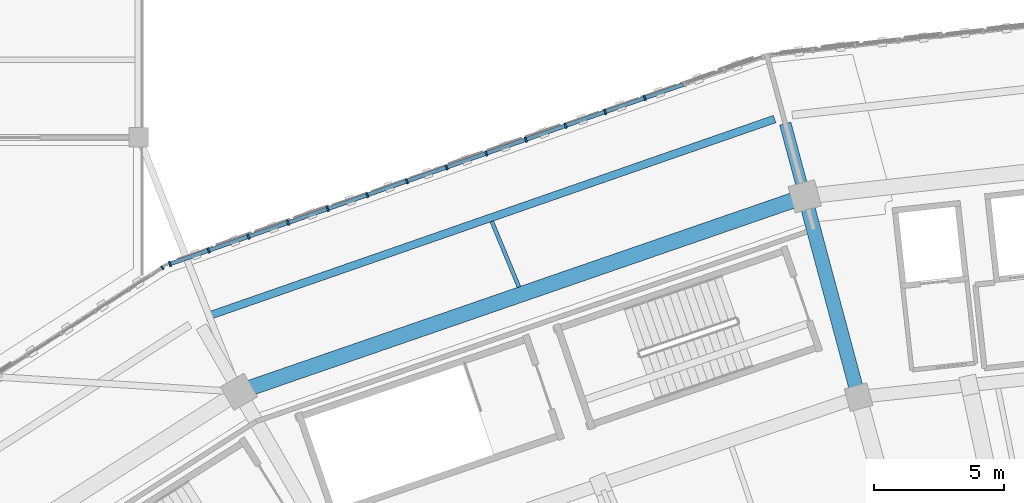
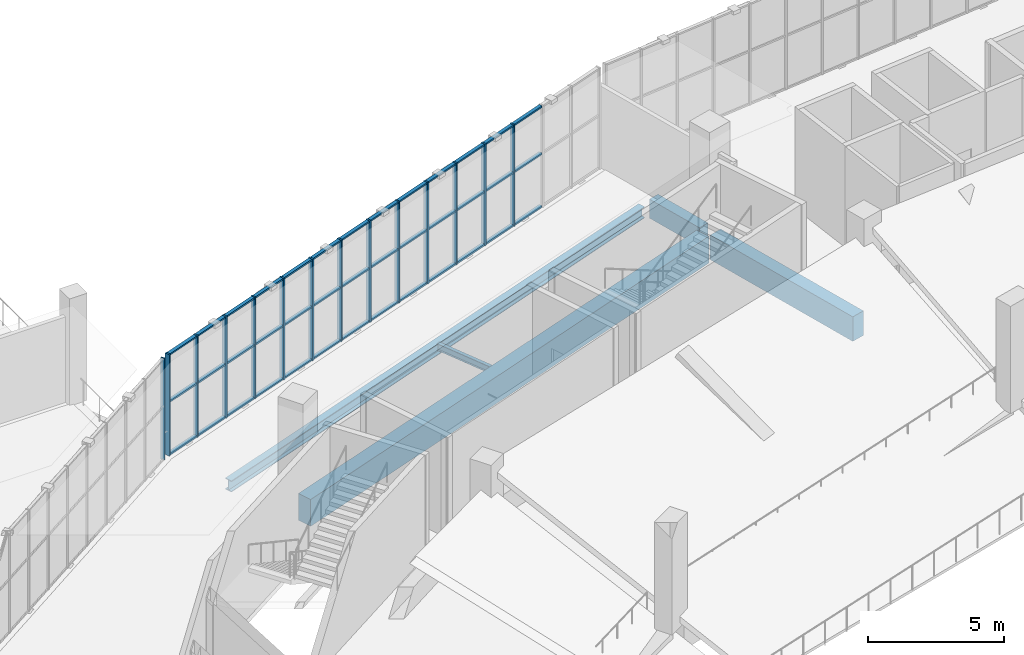
# One storey, part 56 of 152: 53 members, 5 beams, 2 elements without a shape of their own.
"""IFC4 building model written with IfcOpenShell, lengths in metres."""

from ifc_helpers import new_model, si_unit, direction, frame, origin, origin_2d, place, context, subcontext, project, spatial, rectangle, i_section, extrude, material, material_profile, profile_set, type_object, element, aggregate, save


model = new_model("IFC4")

# Units and contexts
model_context = context("Model", 3, precision=1e-05, world=origin(), true_north=direction((0.0, 1.0)))
body_context = subcontext(model_context, "Body", "Model", "MODEL_VIEW")
ifc_project = project(units=[si_unit("LENGTHUNIT", "METRE"), si_unit("AREAUNIT", "SQUARE_METRE"), si_unit("VOLUMEUNIT", "CUBIC_METRE"), si_unit("PLANEANGLEUNIT", "RADIAN"), si_unit("MASSUNIT", "GRAM", prefix="KILO")], contexts=[model_context])

# Site, building, storey
site_placement = place(None, origin())
site = spatial("IfcSite", under=ifc_project, at=site_placement, CompositionType="ELEMENT")
building_placement = place(site_placement, origin())
building = spatial("IfcBuilding", under=site, at=building_placement, Name="Zevraka Park Crest Stadium", CompositionType="ELEMENT")
storey_placement = place(building_placement, frame((0.0, 0.0, 15.0)))
storey = spatial("IfcBuildingStorey", under=building, at=storey_placement, Name="L03", CompositionType="ELEMENT", Elevation=15.0)

# Beams
ifc_material_1 = material(Name="Concrete C40/50", Category="concrete")
ifc_material_profile_1 = material_profile(ifc_material_1, rectangle(XDim=0.550048828125, YDim=1.10009765625, at=origin_2d()), Name="RC 1100x550")
ifc_profile_set_1 = profile_set([ifc_material_profile_1], Name="Concrete C40/50")
beam_type_1 = type_object("IfcBeamType", Name="BG02", PredefinedType="BEAM", material=ifc_profile_set_1)
beam_1_placement = place(storey_placement, frame((90.62109375, 157.297119140625, -0.56005859375), z_axis=(-0.258697599806, 0.965958359276, 0.0), x_axis=(-0.965958359276, -0.258697599806, 0.0)))
element("IfcBeam", 1, at=beam_1_placement, inside=storey, type_object=beam_type_1, Name="Radial Girder BG02 L03-CD-07", PredefinedType="BEAM", context=body_context, shape_type="SweptSolid", body=[
    extrude(rectangle(XDim=0.550048828125, YDim=1.10009765625, at=origin_2d()), origin(), (0.0, 0.0, 1.0), 7.39892578125),
])
ifc_material_2 = material(Name="Concrete C40/50", Category="concrete")
ifc_material_profile_2 = material_profile(ifc_material_2, rectangle(XDim=0.449951171875, YDim=0.85009765625, at=origin_2d()), Name="RC 850x450")
ifc_profile_set_2 = profile_set([ifc_material_profile_2], Name="Concrete C40/50")
beam_type_2 = type_object("IfcBeamType", Name="BG03", PredefinedType="BEAM", material=ifc_profile_set_2)
beam_2_placement = place(storey_placement, frame((88.551025390625, 165.02392578125, -0.43505859375), z_axis=(-0.258919157159, 0.965898995784, 0.0), x_axis=(-0.965898995784, -0.258919157159, 0.0)))
element("IfcBeam", 2, at=beam_2_placement, inside=storey, type_object=beam_type_2, Name="Radial Girder BG03 L03-DE-07", PredefinedType="BEAM", context=body_context, shape_type="SweptSolid", body=[
    extrude(rectangle(XDim=0.449951171875, YDim=0.85009765625, at=origin_2d()), origin(), (0.0, 0.0, 1.0), 2.599609375),
])

# Curtain wall, member
ifc_material_3 = material(Name="Anodised architectural aluminium and laminated safety glass", Category="aluminium")
curtain_wall_type_1 = type_object("IfcCurtainWallType", Name="CW13", PredefinedType="NOTDEFINED", material=ifc_material_3)
curtain_wall_1_placement = place(storey_placement, origin())
curtain_wall_1 = element("IfcCurtainWall", 3, at=curtain_wall_1_placement, inside=storey, type_object=curtain_wall_type_1, Name="Unitised Ring Curtain Wall CW13 L03-08", PredefinedType="NOTDEFINED")
ifc_material_4 = material(Name="Anodised architectural aluminium", Category="aluminium")
ifc_material_profile_3 = material_profile(ifc_material_4, rectangle(XDim=0.159912109375, YDim=0.06005859375, at=origin_2d()), Name="ALU MULLION 160x60")
ifc_profile_set_3 = profile_set([ifc_material_profile_3], Name="Anodised architectural aluminium")
member_type_1 = type_object("IfcMemberType", Name="CM01", PredefinedType="MULLION", material=ifc_profile_set_3)
member_1_placement = place(storey_placement, frame((63.90087890625, 161.98876953125, 0.0), z_axis=(0.0, 0.0, 1.0), x_axis=(0.543469160232, -0.839429134517, 0.0)))
member_1 = element("IfcMember", 4, at=member_1_placement, type_object=member_type_1, Name="CW13 mullion 1", PredefinedType="MULLION", context=body_context, shape_type="SweptSolid", body=[
    extrude(rectangle(XDim=0.159912109375, YDim=0.06005859375, at=origin_2d()), origin(), (0.0, 0.0, 1.0), 4.5400390625),
])
aggregate(curtain_wall_1, [member_1])

# Curtain wall, members
ifc_material_5 = material(Name="Anodised architectural aluminium and laminated safety glass", Category="aluminium")
curtain_wall_type_2 = type_object("IfcCurtainWallType", Name="CW12", PredefinedType="NOTDEFINED", material=ifc_material_5)
curtain_wall_2_placement = place(storey_placement, origin())
curtain_wall_2 = element("IfcCurtainWall", 5, at=curtain_wall_2_placement, inside=storey, type_object=curtain_wall_type_2, Name="Unitised Ring Curtain Wall CW12 L03-07", PredefinedType="NOTDEFINED")
ifc_material_6 = material(Name="Anodised architectural aluminium", Category="aluminium")
ifc_material_profile_4 = material_profile(ifc_material_6, rectangle(XDim=0.199951171875, YDim=0.070068359375, at=origin_2d()), Name="ALU MULLION 200x70")
ifc_profile_set_4 = profile_set([ifc_material_profile_4], Name="Anodised architectural aluminium")
member_type_2 = type_object("IfcMemberType", Name="CM03", PredefinedType="MULLION", material=ifc_profile_set_4)
member_2_placement = place(storey_placement, frame((82.469482421875, 168.518310546875, 0.0), z_axis=(0.0, 0.0, 1.0), x_axis=(0.329916814701, -0.944010008092, 0.0)))
member_2 = element("IfcMember", 6, at=member_2_placement, type_object=member_type_2, Name="CW12 mullion 4", PredefinedType="MULLION", context=body_context, shape_type="SweptSolid", body=[
    extrude(rectangle(XDim=0.199951171875, YDim=0.070068359375, at=origin_2d()), origin(), (0.0, 0.0, 1.0), 4.5400390625),
])
member_3_placement = place(storey_placement, frame((80.943603515625, 167.98486328125, 0.0), z_axis=(0.0, 0.0, 1.0), x_axis=(0.329916814701, -0.944010008092, 0.0)))
member_3 = element("IfcMember", 7, at=member_3_placement, type_object=member_type_2, Name="CW12 mullion 5", PredefinedType="MULLION", context=body_context, shape_type="SweptSolid", body=[
    extrude(rectangle(XDim=0.199951171875, YDim=0.070068359375, at=origin_2d()), origin(), (0.0, 0.0, 1.0), 4.5400390625),
])
member_4_placement = place(storey_placement, frame((79.417724609375, 167.45166015625, 0.0), z_axis=(0.0, 0.0, 1.0), x_axis=(0.329916814701, -0.944010008092, 0.0)))
member_4 = element("IfcMember", 8, at=member_4_placement, type_object=member_type_2, Name="CW12 mullion 6", PredefinedType="MULLION", context=body_context, shape_type="SweptSolid", body=[
    extrude(rectangle(XDim=0.199951171875, YDim=0.070068359375, at=origin_2d()), origin(), (0.0, 0.0, 1.0), 4.5400390625),
])
member_5_placement = place(storey_placement, frame((77.891845703125, 166.91845703125, 0.0), z_axis=(0.0, 0.0, 1.0), x_axis=(0.329916814701, -0.944010008092, 0.0)))
member_5 = element("IfcMember", 9, at=member_5_placement, type_object=member_type_2, Name="CW12 mullion 7", PredefinedType="MULLION", context=body_context, shape_type="SweptSolid", body=[
    extrude(rectangle(XDim=0.199951171875, YDim=0.070068359375, at=origin_2d()), origin(), (0.0, 0.0, 1.0), 4.5400390625),
])
member_6_placement = place(storey_placement, frame((76.365966796875, 166.38525390625, 0.0), z_axis=(0.0, 0.0, 1.0), x_axis=(0.329916814701, -0.944010008092, 0.0)))
member_6 = element("IfcMember", 10, at=member_6_placement, type_object=member_type_2, Name="CW12 mullion 8", PredefinedType="MULLION", context=body_context, shape_type="SweptSolid", body=[
    extrude(rectangle(XDim=0.199951171875, YDim=0.070068359375, at=origin_2d()), origin(), (0.0, 0.0, 1.0), 4.5400390625),
])
member_7_placement = place(storey_placement, frame((74.840087890625, 165.851806640625, 0.0), z_axis=(0.0, 0.0, 1.0), x_axis=(0.329916814701, -0.944010008092, 0.0)))
member_7 = element("IfcMember", 11, at=member_7_placement, type_object=member_type_2, Name="CW12 mullion 9", PredefinedType="MULLION", context=body_context, shape_type="SweptSolid", body=[
    extrude(rectangle(XDim=0.199951171875, YDim=0.070068359375, at=origin_2d()), origin(), (0.0, 0.0, 1.0), 4.5400390625),
])
member_8_placement = place(storey_placement, frame((73.314208984375, 165.318603515625, 0.0), z_axis=(0.0, 0.0, 1.0), x_axis=(0.329916814701, -0.944010008092, 0.0)))
member_8 = element("IfcMember", 12, at=member_8_placement, type_object=member_type_2, Name="CW12 mullion 10", PredefinedType="MULLION", context=body_context, shape_type="SweptSolid", body=[
    extrude(rectangle(XDim=0.199951171875, YDim=0.070068359375, at=origin_2d()), origin(), (0.0, 0.0, 1.0), 4.5400390625),
])
member_9_placement = place(storey_placement, frame((71.788330078125, 164.785400390625, 0.0), z_axis=(0.0, 0.0, 1.0), x_axis=(0.329916814701, -0.944010008092, 0.0)))
member_9 = element("IfcMember", 13, at=member_9_placement, type_object=member_type_2, Name="CW12 mullion 11", PredefinedType="MULLION", context=body_context, shape_type="SweptSolid", body=[
    extrude(rectangle(XDim=0.199951171875, YDim=0.070068359375, at=origin_2d()), origin(), (0.0, 0.0, 1.0), 4.5400390625),
])
member_10_placement = place(storey_placement, frame((70.262451171875, 164.251953125, 0.0), z_axis=(0.0, 0.0, 1.0), x_axis=(0.329916814701, -0.944010008092, 0.0)))
member_10 = element("IfcMember", 14, at=member_10_placement, type_object=member_type_2, Name="CW12 mullion 12", PredefinedType="MULLION", context=body_context, shape_type="SweptSolid", body=[
    extrude(rectangle(XDim=0.199951171875, YDim=0.070068359375, at=origin_2d()), origin(), (0.0, 0.0, 1.0), 4.5400390625),
])
member_11_placement = place(storey_placement, frame((68.736572265625, 163.71875, 0.0), z_axis=(0.0, 0.0, 1.0), x_axis=(0.329916814701, -0.944010008092, 0.0)))
member_11 = element("IfcMember", 15, at=member_11_placement, type_object=member_type_2, Name="CW12 mullion 13", PredefinedType="MULLION", context=body_context, shape_type="SweptSolid", body=[
    extrude(rectangle(XDim=0.199951171875, YDim=0.070068359375, at=origin_2d()), origin(), (0.0, 0.0, 1.0), 4.5400390625),
])
member_12_placement = place(storey_placement, frame((67.210693359375, 163.185546875, 0.0), z_axis=(0.0, 0.0, 1.0), x_axis=(0.329916814701, -0.944010008092, 0.0)))
member_12 = element("IfcMember", 16, at=member_12_placement, type_object=member_type_2, Name="CW12 mullion 14", PredefinedType="MULLION", context=body_context, shape_type="SweptSolid", body=[
    extrude(rectangle(XDim=0.199951171875, YDim=0.070068359375, at=origin_2d()), origin(), (0.0, 0.0, 1.0), 4.5400390625),
])
member_13_placement = place(storey_placement, frame((65.684814453125, 162.65234375, 0.0), z_axis=(0.0, 0.0, 1.0), x_axis=(0.329916814701, -0.944010008092, 0.0)))
member_13 = element("IfcMember", 17, at=member_13_placement, type_object=member_type_2, Name="CW12 mullion 15", PredefinedType="MULLION", context=body_context, shape_type="SweptSolid", body=[
    extrude(rectangle(XDim=0.199951171875, YDim=0.070068359375, at=origin_2d()), origin(), (0.0, 0.0, 1.0), 4.5400390625),
])
member_14_placement = place(storey_placement, frame((64.192138671875, 162.130615234375, 0.0), z_axis=(0.0, 0.0, 1.0), x_axis=(0.329916814701, -0.944010008092, 0.0)))
member_14 = element("IfcMember", 18, at=member_14_placement, type_object=member_type_2, Name="CW12 mullion 16", PredefinedType="MULLION", context=body_context, shape_type="SweptSolid", body=[
    extrude(rectangle(XDim=0.199951171875, YDim=0.070068359375, at=origin_2d()), origin(), (0.0, 0.0, 1.0), 4.5400390625),
])
ifc_material_7 = material(Name="Anodised architectural aluminium", Category="aluminium")
ifc_material_profile_5 = material_profile(ifc_material_7, rectangle(XDim=0.14990234375, YDim=0.070068359375, at=origin_2d()), Name="ALU TRANSOM 150x70")
ifc_profile_set_5 = profile_set([ifc_material_profile_5], Name="Anodised architectural aluminium")
member_type_3 = type_object("IfcMemberType", Name="CT03", PredefinedType="USERDEFINED", material=ifc_profile_set_5)
member_15_placement = place(storey_placement, frame((83.962158203125, 169.0400390625, 0.034912109375), z_axis=(-0.943988739301, -0.329977666021, 0.0), x_axis=(0.329977666021, -0.943988739301, 0.0)))
member_15 = element("IfcMember", 19, at=member_15_placement, type_object=member_type_3, Name="CW12 transom 3.1", ObjectType="TRANSOM", PredefinedType="USERDEFINED", context=body_context, shape_type="SweptSolid", body=[
    extrude(rectangle(XDim=0.14990234375, YDim=0.070068359375, at=origin_2d()), origin(), (0.0, 0.0, 1.0), 1.54638671875),
])
member_16_placement = place(storey_placement, frame((83.962158203125, 169.0400390625, 2.39990234375), z_axis=(-0.943988739301, -0.329977666021, 0.0), x_axis=(0.329977666021, -0.943988739301, 0.0)))
member_16 = element("IfcMember", 20, at=member_16_placement, type_object=member_type_3, Name="CW12 transom 3.2", ObjectType="TRANSOM", PredefinedType="USERDEFINED", context=body_context, shape_type="SweptSolid", body=[
    extrude(rectangle(XDim=0.14990234375, YDim=0.070068359375, at=origin_2d()), origin(), (0.0, 0.0, 1.0), 1.54638671875),
])
member_17_placement = place(storey_placement, frame((83.962158203125, 169.0400390625, 4.5048828125), z_axis=(-0.943988739301, -0.329977666021, 0.0), x_axis=(0.329977666021, -0.943988739301, 0.0)))
member_17 = element("IfcMember", 21, at=member_17_placement, type_object=member_type_3, Name="CW12 transom 3.3", ObjectType="TRANSOM", PredefinedType="USERDEFINED", context=body_context, shape_type="SweptSolid", body=[
    extrude(rectangle(XDim=0.14990234375, YDim=0.070068359375, at=origin_2d()), origin(), (0.0, 0.0, 1.0), 1.54638671875),
])
member_18_placement = place(storey_placement, frame((82.436279296875, 168.506591796875, 0.034912109375), z_axis=(-0.944037911501, -0.329836962222, 0.0), x_axis=(0.329836962222, -0.944037911501, 0.0)))
member_18 = element("IfcMember", 22, at=member_18_placement, type_object=member_type_3, Name="CW12 transom 4.1", ObjectType="TRANSOM", PredefinedType="USERDEFINED", context=body_context, shape_type="SweptSolid", body=[
    extrude(rectangle(XDim=0.14990234375, YDim=0.070068359375, at=origin_2d()), origin(), (0.0, 0.0, 1.0), 1.546142578125),
])
member_19_placement = place(storey_placement, frame((82.436279296875, 168.506591796875, 2.39990234375), z_axis=(-0.944037911501, -0.329836962222, 0.0), x_axis=(0.329836962222, -0.944037911501, 0.0)))
member_19 = element("IfcMember", 23, at=member_19_placement, type_object=member_type_3, Name="CW12 transom 4.2", ObjectType="TRANSOM", PredefinedType="USERDEFINED", context=body_context, shape_type="SweptSolid", body=[
    extrude(rectangle(XDim=0.14990234375, YDim=0.070068359375, at=origin_2d()), origin(), (0.0, 0.0, 1.0), 1.546142578125),
])
member_20_placement = place(storey_placement, frame((82.436279296875, 168.506591796875, 4.5048828125), z_axis=(-0.944037911501, -0.329836962222, 0.0), x_axis=(0.329836962222, -0.944037911501, 0.0)))
member_20 = element("IfcMember", 24, at=member_20_placement, type_object=member_type_3, Name="CW12 transom 4.3", ObjectType="TRANSOM", PredefinedType="USERDEFINED", context=body_context, shape_type="SweptSolid", body=[
    extrude(rectangle(XDim=0.14990234375, YDim=0.070068359375, at=origin_2d()), origin(), (0.0, 0.0, 1.0), 1.546142578125),
])
member_21_placement = place(storey_placement, frame((80.910400390625, 167.973388671875, 0.034912109375), z_axis=(-0.943988739301, -0.329977666021, 0.0), x_axis=(0.329977666021, -0.943988739301, 0.0)))
member_21 = element("IfcMember", 25, at=member_21_placement, type_object=member_type_3, Name="CW12 transom 5.1", ObjectType="TRANSOM", PredefinedType="USERDEFINED", context=body_context, shape_type="SweptSolid", body=[
    extrude(rectangle(XDim=0.14990234375, YDim=0.070068359375, at=origin_2d()), origin(), (0.0, 0.0, 1.0), 1.54638671875),
])
member_22_placement = place(storey_placement, frame((80.910400390625, 167.973388671875, 2.39990234375), z_axis=(-0.943988739301, -0.329977666021, 0.0), x_axis=(0.329977666021, -0.943988739301, 0.0)))
member_22 = element("IfcMember", 26, at=member_22_placement, type_object=member_type_3, Name="CW12 transom 5.2", ObjectType="TRANSOM", PredefinedType="USERDEFINED", context=body_context, shape_type="SweptSolid", body=[
    extrude(rectangle(XDim=0.14990234375, YDim=0.070068359375, at=origin_2d()), origin(), (0.0, 0.0, 1.0), 1.54638671875),
])
member_23_placement = place(storey_placement, frame((80.910400390625, 167.973388671875, 4.5048828125), z_axis=(-0.943988739301, -0.329977666021, 0.0), x_axis=(0.329977666021, -0.943988739301, 0.0)))
member_23 = element("IfcMember", 27, at=member_23_placement, type_object=member_type_3, Name="CW12 transom 5.3", ObjectType="TRANSOM", PredefinedType="USERDEFINED", context=body_context, shape_type="SweptSolid", body=[
    extrude(rectangle(XDim=0.14990234375, YDim=0.070068359375, at=origin_2d()), origin(), (0.0, 0.0, 1.0), 1.54638671875),
])
member_24_placement = place(storey_placement, frame((79.384521484375, 167.440185546875, 0.034912109375), z_axis=(-0.943988739301, -0.329977666021, 0.0), x_axis=(0.329977666021, -0.943988739301, 0.0)))
member_24 = element("IfcMember", 28, at=member_24_placement, type_object=member_type_3, Name="CW12 transom 6.1", ObjectType="TRANSOM", PredefinedType="USERDEFINED", context=body_context, shape_type="SweptSolid", body=[
    extrude(rectangle(XDim=0.14990234375, YDim=0.070068359375, at=origin_2d()), origin(), (0.0, 0.0, 1.0), 1.54638671875),
])
member_25_placement = place(storey_placement, frame((79.384521484375, 167.440185546875, 2.39990234375), z_axis=(-0.943988739301, -0.329977666021, 0.0), x_axis=(0.329977666021, -0.943988739301, 0.0)))
member_25 = element("IfcMember", 29, at=member_25_placement, type_object=member_type_3, Name="CW12 transom 6.2", ObjectType="TRANSOM", PredefinedType="USERDEFINED", context=body_context, shape_type="SweptSolid", body=[
    extrude(rectangle(XDim=0.14990234375, YDim=0.070068359375, at=origin_2d()), origin(), (0.0, 0.0, 1.0), 1.54638671875),
])
member_26_placement = place(storey_placement, frame((79.384521484375, 167.440185546875, 4.5048828125), z_axis=(-0.943988739301, -0.329977666021, 0.0), x_axis=(0.329977666021, -0.943988739301, 0.0)))
member_26 = element("IfcMember", 30, at=member_26_placement, type_object=member_type_3, Name="CW12 transom 6.3", ObjectType="TRANSOM", PredefinedType="USERDEFINED", context=body_context, shape_type="SweptSolid", body=[
    extrude(rectangle(XDim=0.14990234375, YDim=0.070068359375, at=origin_2d()), origin(), (0.0, 0.0, 1.0), 1.54638671875),
])
member_27_placement = place(storey_placement, frame((77.858642578125, 166.90673828125, 0.034912109375), z_axis=(-0.944037911501, -0.329836962222, 0.0), x_axis=(0.329836962222, -0.944037911501, 0.0)))
member_27 = element("IfcMember", 31, at=member_27_placement, type_object=member_type_3, Name="CW12 transom 7.1", ObjectType="TRANSOM", PredefinedType="USERDEFINED", context=body_context, shape_type="SweptSolid", body=[
    extrude(rectangle(XDim=0.14990234375, YDim=0.070068359375, at=origin_2d()), origin(), (0.0, 0.0, 1.0), 1.546142578125),
])
member_28_placement = place(storey_placement, frame((77.858642578125, 166.90673828125, 2.39990234375), z_axis=(-0.944037911501, -0.329836962222, 0.0), x_axis=(0.329836962222, -0.944037911501, 0.0)))
member_28 = element("IfcMember", 32, at=member_28_placement, type_object=member_type_3, Name="CW12 transom 7.2", ObjectType="TRANSOM", PredefinedType="USERDEFINED", context=body_context, shape_type="SweptSolid", body=[
    extrude(rectangle(XDim=0.14990234375, YDim=0.070068359375, at=origin_2d()), origin(), (0.0, 0.0, 1.0), 1.546142578125),
])
member_29_placement = place(storey_placement, frame((77.858642578125, 166.90673828125, 4.5048828125), z_axis=(-0.944037911501, -0.329836962222, 0.0), x_axis=(0.329836962222, -0.944037911501, 0.0)))
member_29 = element("IfcMember", 33, at=member_29_placement, type_object=member_type_3, Name="CW12 transom 7.3", ObjectType="TRANSOM", PredefinedType="USERDEFINED", context=body_context, shape_type="SweptSolid", body=[
    extrude(rectangle(XDim=0.14990234375, YDim=0.070068359375, at=origin_2d()), origin(), (0.0, 0.0, 1.0), 1.546142578125),
])
member_30_placement = place(storey_placement, frame((76.3330078125, 166.37353515625, 0.034912109375), z_axis=(-0.944055085145, -0.329787804827, 0.0), x_axis=(0.329787804827, -0.944055085145, 0.0)))
member_30 = element("IfcMember", 34, at=member_30_placement, type_object=member_type_3, Name="CW12 transom 8.1", ObjectType="TRANSOM", PredefinedType="USERDEFINED", context=body_context, shape_type="SweptSolid", body=[
    extrude(rectangle(XDim=0.14990234375, YDim=0.070068359375, at=origin_2d()), origin(), (0.0, 0.0, 1.0), 1.54638671875),
])
member_31_placement = place(storey_placement, frame((76.3330078125, 166.37353515625, 2.39990234375), z_axis=(-0.944055085145, -0.329787804827, 0.0), x_axis=(0.329787804827, -0.944055085145, 0.0)))
member_31 = element("IfcMember", 35, at=member_31_placement, type_object=member_type_3, Name="CW12 transom 8.2", ObjectType="TRANSOM", PredefinedType="USERDEFINED", context=body_context, shape_type="SweptSolid", body=[
    extrude(rectangle(XDim=0.14990234375, YDim=0.070068359375, at=origin_2d()), origin(), (0.0, 0.0, 1.0), 1.54638671875),
])
member_32_placement = place(storey_placement, frame((76.3330078125, 166.37353515625, 4.5048828125), z_axis=(-0.944055085145, -0.329787804827, 0.0), x_axis=(0.329787804827, -0.944055085145, 0.0)))
member_32 = element("IfcMember", 36, at=member_32_placement, type_object=member_type_3, Name="CW12 transom 8.3", ObjectType="TRANSOM", PredefinedType="USERDEFINED", context=body_context, shape_type="SweptSolid", body=[
    extrude(rectangle(XDim=0.14990234375, YDim=0.070068359375, at=origin_2d()), origin(), (0.0, 0.0, 1.0), 1.54638671875),
])
member_33_placement = place(storey_placement, frame((74.80712890625, 165.84033203125, 0.034912109375), z_axis=(-0.944005926705, -0.329928492778, 0.0), x_axis=(0.329928492778, -0.944005926705, 0.0)))
member_33 = element("IfcMember", 37, at=member_33_placement, type_object=member_type_3, Name="CW12 transom 9.1", ObjectType="TRANSOM", PredefinedType="USERDEFINED", context=body_context, shape_type="SweptSolid", body=[
    extrude(rectangle(XDim=0.14990234375, YDim=0.070068359375, at=origin_2d()), origin(), (0.0, 0.0, 1.0), 1.546630859375),
])
member_34_placement = place(storey_placement, frame((74.80712890625, 165.84033203125, 2.39990234375), z_axis=(-0.944005926705, -0.329928492778, 0.0), x_axis=(0.329928492778, -0.944005926705, 0.0)))
member_34 = element("IfcMember", 38, at=member_34_placement, type_object=member_type_3, Name="CW12 transom 9.2", ObjectType="TRANSOM", PredefinedType="USERDEFINED", context=body_context, shape_type="SweptSolid", body=[
    extrude(rectangle(XDim=0.14990234375, YDim=0.070068359375, at=origin_2d()), origin(), (0.0, 0.0, 1.0), 1.546630859375),
])
member_35_placement = place(storey_placement, frame((74.80712890625, 165.84033203125, 4.5048828125), z_axis=(-0.944005926705, -0.329928492778, 0.0), x_axis=(0.329928492778, -0.944005926705, 0.0)))
member_35 = element("IfcMember", 39, at=member_35_placement, type_object=member_type_3, Name="CW12 transom 9.3", ObjectType="TRANSOM", PredefinedType="USERDEFINED", context=body_context, shape_type="SweptSolid", body=[
    extrude(rectangle(XDim=0.14990234375, YDim=0.070068359375, at=origin_2d()), origin(), (0.0, 0.0, 1.0), 1.546630859375),
])
member_36_placement = place(storey_placement, frame((73.28125, 165.30712890625, 0.034912109375), z_axis=(-0.944005926705, -0.329928492778, 0.0), x_axis=(0.329928492778, -0.944005926705, 0.0)))
member_36 = element("IfcMember", 40, at=member_36_placement, type_object=member_type_3, Name="CW12 transom 10.1", ObjectType="TRANSOM", PredefinedType="USERDEFINED", context=body_context, shape_type="SweptSolid", body=[
    extrude(rectangle(XDim=0.14990234375, YDim=0.070068359375, at=origin_2d()), origin(), (0.0, 0.0, 1.0), 1.546630859375),
])
member_37_placement = place(storey_placement, frame((73.28125, 165.30712890625, 2.39990234375), z_axis=(-0.944005926705, -0.329928492778, 0.0), x_axis=(0.329928492778, -0.944005926705, 0.0)))
member_37 = element("IfcMember", 41, at=member_37_placement, type_object=member_type_3, Name="CW12 transom 10.2", ObjectType="TRANSOM", PredefinedType="USERDEFINED", context=body_context, shape_type="SweptSolid", body=[
    extrude(rectangle(XDim=0.14990234375, YDim=0.070068359375, at=origin_2d()), origin(), (0.0, 0.0, 1.0), 1.546630859375),
])
member_38_placement = place(storey_placement, frame((73.28125, 165.30712890625, 4.5048828125), z_axis=(-0.944005926705, -0.329928492778, 0.0), x_axis=(0.329928492778, -0.944005926705, 0.0)))
member_38 = element("IfcMember", 42, at=member_38_placement, type_object=member_type_3, Name="CW12 transom 10.3", ObjectType="TRANSOM", PredefinedType="USERDEFINED", context=body_context, shape_type="SweptSolid", body=[
    extrude(rectangle(XDim=0.14990234375, YDim=0.070068359375, at=origin_2d()), origin(), (0.0, 0.0, 1.0), 1.546630859375),
])
member_39_placement = place(storey_placement, frame((71.75537109375, 164.773681640625, 0.034912109375), z_axis=(-0.944055085145, -0.329787804827, 0.0), x_axis=(0.329787804827, -0.944055085145, 0.0)))
member_39 = element("IfcMember", 43, at=member_39_placement, type_object=member_type_3, Name="CW12 transom 11.1", ObjectType="TRANSOM", PredefinedType="USERDEFINED", context=body_context, shape_type="SweptSolid", body=[
    extrude(rectangle(XDim=0.14990234375, YDim=0.070068359375, at=origin_2d()), origin(), (0.0, 0.0, 1.0), 1.54638671875),
])
member_40_placement = place(storey_placement, frame((71.75537109375, 164.773681640625, 2.39990234375), z_axis=(-0.944055085145, -0.329787804827, 0.0), x_axis=(0.329787804827, -0.944055085145, 0.0)))
member_40 = element("IfcMember", 44, at=member_40_placement, type_object=member_type_3, Name="CW12 transom 11.2", ObjectType="TRANSOM", PredefinedType="USERDEFINED", context=body_context, shape_type="SweptSolid", body=[
    extrude(rectangle(XDim=0.14990234375, YDim=0.070068359375, at=origin_2d()), origin(), (0.0, 0.0, 1.0), 1.54638671875),
])
member_41_placement = place(storey_placement, frame((71.75537109375, 164.773681640625, 4.5048828125), z_axis=(-0.944055085145, -0.329787804827, 0.0), x_axis=(0.329787804827, -0.944055085145, 0.0)))
member_41 = element("IfcMember", 45, at=member_41_placement, type_object=member_type_3, Name="CW12 transom 11.3", ObjectType="TRANSOM", PredefinedType="USERDEFINED", context=body_context, shape_type="SweptSolid", body=[
    extrude(rectangle(XDim=0.14990234375, YDim=0.070068359375, at=origin_2d()), origin(), (0.0, 0.0, 1.0), 1.54638671875),
])
member_42_placement = place(storey_placement, frame((70.2294921875, 164.240478515625, 0.034912109375), z_axis=(-0.944055085145, -0.329787804827, 0.0), x_axis=(0.329787804827, -0.944055085145, 0.0)))
member_42 = element("IfcMember", 46, at=member_42_placement, type_object=member_type_3, Name="CW12 transom 12.1", ObjectType="TRANSOM", PredefinedType="USERDEFINED", context=body_context, shape_type="SweptSolid", body=[
    extrude(rectangle(XDim=0.14990234375, YDim=0.070068359375, at=origin_2d()), origin(), (0.0, 0.0, 1.0), 1.54638671875),
])
member_43_placement = place(storey_placement, frame((70.2294921875, 164.240478515625, 2.39990234375), z_axis=(-0.944055085145, -0.329787804827, 0.0), x_axis=(0.329787804827, -0.944055085145, 0.0)))
member_43 = element("IfcMember", 47, at=member_43_placement, type_object=member_type_3, Name="CW12 transom 12.2", ObjectType="TRANSOM", PredefinedType="USERDEFINED", context=body_context, shape_type="SweptSolid", body=[
    extrude(rectangle(XDim=0.14990234375, YDim=0.070068359375, at=origin_2d()), origin(), (0.0, 0.0, 1.0), 1.54638671875),
])
member_44_placement = place(storey_placement, frame((70.2294921875, 164.240478515625, 4.5048828125), z_axis=(-0.944055085145, -0.329787804827, 0.0), x_axis=(0.329787804827, -0.944055085145, 0.0)))
member_44 = element("IfcMember", 48, at=member_44_placement, type_object=member_type_3, Name="CW12 transom 12.3", ObjectType="TRANSOM", PredefinedType="USERDEFINED", context=body_context, shape_type="SweptSolid", body=[
    extrude(rectangle(XDim=0.14990234375, YDim=0.070068359375, at=origin_2d()), origin(), (0.0, 0.0, 1.0), 1.54638671875),
])
member_45_placement = place(storey_placement, frame((68.70361328125, 163.707275390625, 0.034912109375), z_axis=(-0.944005926705, -0.329928492778, 0.0), x_axis=(0.329928492778, -0.944005926705, 0.0)))
member_45 = element("IfcMember", 49, at=member_45_placement, type_object=member_type_3, Name="CW12 transom 13.1", ObjectType="TRANSOM", PredefinedType="USERDEFINED", context=body_context, shape_type="SweptSolid", body=[
    extrude(rectangle(XDim=0.14990234375, YDim=0.070068359375, at=origin_2d()), origin(), (0.0, 0.0, 1.0), 1.546630859375),
])
member_46_placement = place(storey_placement, frame((68.70361328125, 163.707275390625, 2.39990234375), z_axis=(-0.944005926705, -0.329928492778, 0.0), x_axis=(0.329928492778, -0.944005926705, 0.0)))
member_46 = element("IfcMember", 50, at=member_46_placement, type_object=member_type_3, Name="CW12 transom 13.2", ObjectType="TRANSOM", PredefinedType="USERDEFINED", context=body_context, shape_type="SweptSolid", body=[
    extrude(rectangle(XDim=0.14990234375, YDim=0.070068359375, at=origin_2d()), origin(), (0.0, 0.0, 1.0), 1.546630859375),
])
member_47_placement = place(storey_placement, frame((68.70361328125, 163.707275390625, 4.5048828125), z_axis=(-0.944005926705, -0.329928492778, 0.0), x_axis=(0.329928492778, -0.944005926705, 0.0)))
member_47 = element("IfcMember", 51, at=member_47_placement, type_object=member_type_3, Name="CW12 transom 13.3", ObjectType="TRANSOM", PredefinedType="USERDEFINED", context=body_context, shape_type="SweptSolid", body=[
    extrude(rectangle(XDim=0.14990234375, YDim=0.070068359375, at=origin_2d()), origin(), (0.0, 0.0, 1.0), 1.546630859375),
])
member_48_placement = place(storey_placement, frame((67.177734375, 163.174072265625, 0.034912109375), z_axis=(-0.943988739301, -0.329977666021, 0.0), x_axis=(0.329977666021, -0.943988739301, 0.0)))
member_48 = element("IfcMember", 52, at=member_48_placement, type_object=member_type_3, Name="CW12 transom 14.1", ObjectType="TRANSOM", PredefinedType="USERDEFINED", context=body_context, shape_type="SweptSolid", body=[
    extrude(rectangle(XDim=0.14990234375, YDim=0.070068359375, at=origin_2d()), origin(), (0.0, 0.0, 1.0), 1.54638671875),
])
member_49_placement = place(storey_placement, frame((67.177734375, 163.174072265625, 2.39990234375), z_axis=(-0.943988739301, -0.329977666021, 0.0), x_axis=(0.329977666021, -0.943988739301, 0.0)))
member_49 = element("IfcMember", 53, at=member_49_placement, type_object=member_type_3, Name="CW12 transom 14.2", ObjectType="TRANSOM", PredefinedType="USERDEFINED", context=body_context, shape_type="SweptSolid", body=[
    extrude(rectangle(XDim=0.14990234375, YDim=0.070068359375, at=origin_2d()), origin(), (0.0, 0.0, 1.0), 1.54638671875),
])
member_50_placement = place(storey_placement, frame((67.177734375, 163.174072265625, 4.5048828125), z_axis=(-0.943988739301, -0.329977666021, 0.0), x_axis=(0.329977666021, -0.943988739301, 0.0)))
member_50 = element("IfcMember", 54, at=member_50_placement, type_object=member_type_3, Name="CW12 transom 14.3", ObjectType="TRANSOM", PredefinedType="USERDEFINED", context=body_context, shape_type="SweptSolid", body=[
    extrude(rectangle(XDim=0.14990234375, YDim=0.070068359375, at=origin_2d()), origin(), (0.0, 0.0, 1.0), 1.54638671875),
])
member_51_placement = place(storey_placement, frame((65.65185546875, 162.640625, 0.034912109375), z_axis=(-0.944029481665, -0.329861088563, 0.0), x_axis=(0.329861088563, -0.944029481665, 0.0)))
member_51 = element("IfcMember", 55, at=member_51_placement, type_object=member_type_3, Name="CW12 transom 15.1", ObjectType="TRANSOM", PredefinedType="USERDEFINED", context=body_context, shape_type="SweptSolid", body=[
    extrude(rectangle(XDim=0.14990234375, YDim=0.070068359375, at=origin_2d()), origin(), (0.0, 0.0, 1.0), 1.51123046875),
])
member_52_placement = place(storey_placement, frame((65.65185546875, 162.640625, 2.39990234375), z_axis=(-0.944029481665, -0.329861088563, 0.0), x_axis=(0.329861088563, -0.944029481665, 0.0)))
member_52 = element("IfcMember", 56, at=member_52_placement, type_object=member_type_3, Name="CW12 transom 15.2", ObjectType="TRANSOM", PredefinedType="USERDEFINED", context=body_context, shape_type="SweptSolid", body=[
    extrude(rectangle(XDim=0.14990234375, YDim=0.070068359375, at=origin_2d()), origin(), (0.0, 0.0, 1.0), 1.51123046875),
])
member_53_placement = place(storey_placement, frame((65.65185546875, 162.640625, 4.5048828125), z_axis=(-0.944029481665, -0.329861088563, 0.0), x_axis=(0.329861088563, -0.944029481665, 0.0)))
member_53 = element("IfcMember", 57, at=member_53_placement, type_object=member_type_3, Name="CW12 transom 15.3", ObjectType="TRANSOM", PredefinedType="USERDEFINED", context=body_context, shape_type="SweptSolid", body=[
    extrude(rectangle(XDim=0.14990234375, YDim=0.070068359375, at=origin_2d()), origin(), (0.0, 0.0, 1.0), 1.51123046875),
])
aggregate(curtain_wall_2, [member_2, member_3, member_4, member_5, member_6, member_7, member_8, member_9, member_10, member_11, member_12, member_13, member_14, member_15, member_16, member_17, member_18, member_19, member_20, member_21, member_22, member_23, member_24, member_25, member_26, member_27, member_28, member_29, member_30, member_31, member_32, member_33, member_34, member_35, member_36, member_37, member_38, member_39, member_40, member_41, member_42, member_43, member_44, member_45, member_46, member_47, member_48, member_49, member_50, member_51, member_52, member_53])

# Beams
ifc_material_8 = material(Name="Concrete C40/50", Category="concrete")
ifc_material_profile_6 = material_profile(ifc_material_8, rectangle(XDim=0.60009765625, YDim=1.199951171875, at=origin_2d()), Name="RC 1200x600")
ifc_profile_set_6 = profile_set([ifc_material_profile_6], Name="Concrete C40/50")
beam_type_3 = type_object("IfcBeamType", Name="RB01", PredefinedType="BEAM", material=ifc_profile_set_6)
beam_3_placement = place(storey_placement, frame((88.27001953125, 164.610107421875, -0.610107421875), z_axis=(-0.945210431582, -0.326461697644, 0.0), x_axis=(0.326461697644, -0.945210431582, 0.0)))
element("IfcBeam", 58, at=beam_3_placement, inside=storey, type_object=beam_type_3, Name="Ring Beam RB01 L03-D-07", PredefinedType="BEAM", context=body_context, shape_type="SweptSolid", body=[
    extrude(rectangle(XDim=0.60009765625, YDim=1.199951171875, at=origin_2d()), origin(), (0.0, 0.0, 1.0), 22.28173828125),
])
ifc_material_9 = material(Name="Steel S355", Category="steel")
ifc_material_profile_7 = material_profile(ifc_material_9, i_section(OverallWidth=0.300048828125, OverallDepth=0.5, WebThickness=0.014404296875, FlangeThickness=0.028076171875, at=origin_2d()), Name="HEB 500")
ifc_profile_set_7 = profile_set([ifc_material_profile_7], Name="Steel S355")
beam_type_4 = type_object("IfcBeamType", Name="RB05", PredefinedType="BEAM", material=ifc_profile_set_7)
beam_4_placement = place(storey_placement, frame((87.468994140625, 167.7099609375, -0.60498046875), z_axis=(-0.944512003331, -0.328476902634, 0.0), x_axis=(0.328476902634, -0.944512003331, 0.0)))
element("IfcBeam", 59, at=beam_4_placement, inside=storey, type_object=beam_type_4, Name="Ring Beam RB05 L03-E-07", PredefinedType="BEAM", context=body_context, shape_type="SweptSolid", body=[
    extrude(i_section(OverallWidth=0.300048828125, OverallDepth=0.5, WebThickness=0.014404296875, FlangeThickness=0.028076171875, at=origin_2d()), origin(), (0.0, 0.0, 1.0), 23.173828125),
])
ifc_material_10 = material(Name="Steel S355", Category="steel")
ifc_material_profile_8 = material_profile(ifc_material_10, i_section(OverallWidth=0.14990234375, OverallDepth=0.300048828125, WebThickness=0.007080078125, FlangeThickness=0.0107421875, at=origin_2d()), Name="IPE 300")
ifc_profile_set_8 = profile_set([ifc_material_profile_8], Name="Steel S355")
beam_type_5 = type_object("IfcBeamType", Name="SJ01", PredefinedType="JOIST", material=ifc_profile_set_8)
beam_5_placement = place(storey_placement, frame((77.626953125, 161.24609375, -0.4580078125), z_axis=(-0.3828253139, 0.923820750491, 0.0), x_axis=(-0.923820750491, -0.3828253139, 0.0)))
element("IfcBeam", 60, at=beam_5_placement, inside=storey, type_object=beam_type_5, Name="Floor Joist SJ01 L03-DE-07-1", PredefinedType="JOIST", context=body_context, shape_type="SweptSolid", body=[
    extrude(i_section(OverallWidth=0.14990234375, OverallDepth=0.300048828125, WebThickness=0.007080078125, FlangeThickness=0.0107421875, at=origin_2d()), origin(), (0.0, 0.0, 1.0), 2.73193359375),
])

save(model, "model.ifc")
